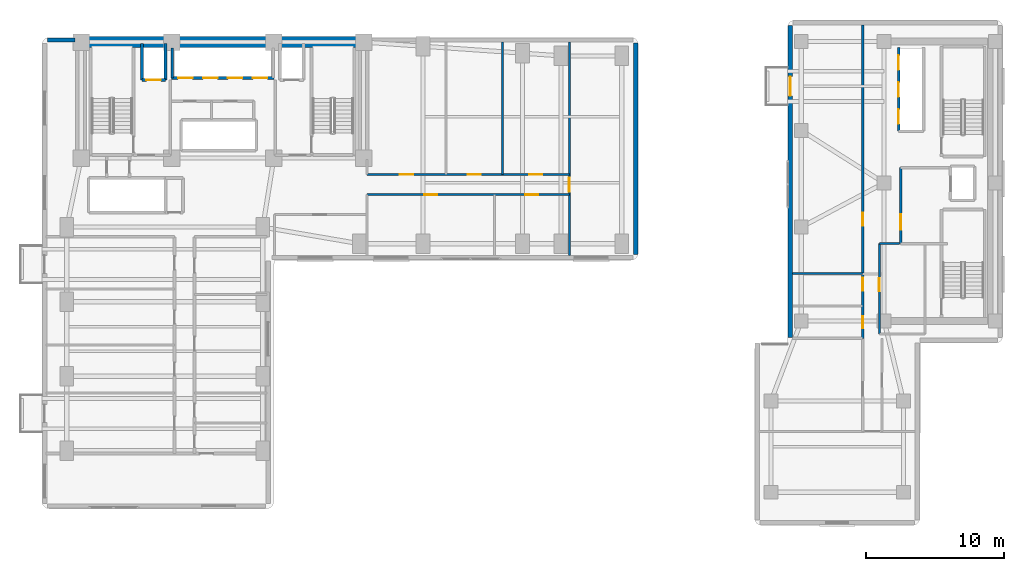
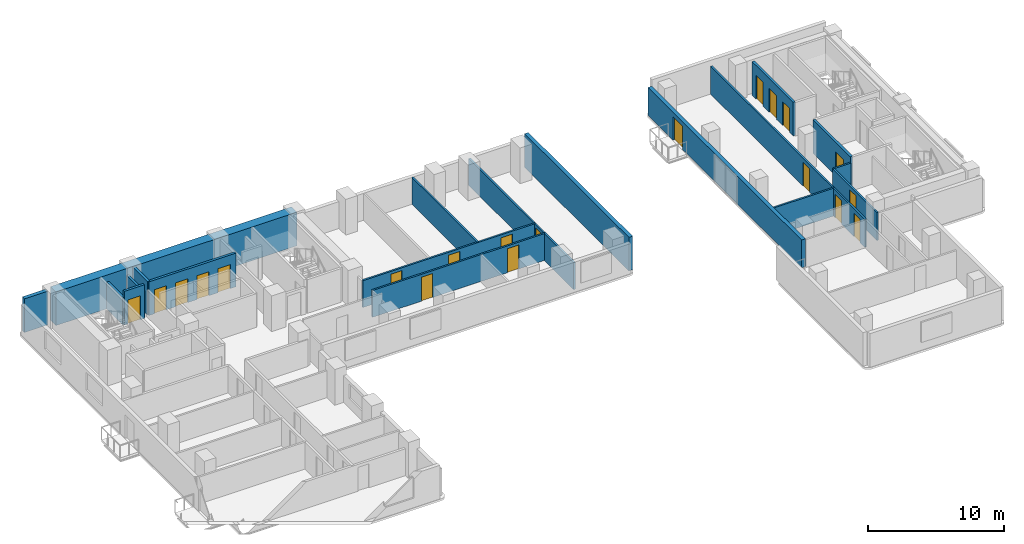
# One storey, part 12 of 17: 20 doors, 19 walls, 20 openings.
"""IFC4 building model written with IfcOpenShell, lengths in metres."""

from ifc_helpers import new_model, si_unit, direction, frame, frame_2d, origin, place, context, subcontext, project, spatial, rectangle, extrude, material, layer, layer_set, type_object, element, fill, save


model = new_model("IFC4")

# Units and contexts
model_context = context("Model", 3, precision=1e-05, world=origin(), true_north=direction((0.0, 1.0)))
body_context = subcontext(model_context, "Body", "Model", "MODEL_VIEW")
ifc_project = project(units=[si_unit("LENGTHUNIT", "METRE"), si_unit("AREAUNIT", "SQUARE_METRE"), si_unit("VOLUMEUNIT", "CUBIC_METRE"), si_unit("PLANEANGLEUNIT", "RADIAN"), si_unit("MASSUNIT", "GRAM", prefix="KILO")], contexts=[model_context])

# Site, building, storey
site_placement = place(None, origin())
site = spatial("IfcSite", under=ifc_project, at=site_placement, CompositionType="ELEMENT")
building_placement = place(site_placement, origin())
building = spatial("IfcBuilding", under=site, at=building_placement, Name="Kuzgunbayir Cultural Tower", CompositionType="ELEMENT")
storey_placement = place(building_placement, frame((0.0, 0.0, 43.60009765625)))
storey = spatial("IfcBuildingStorey", under=building, at=storey_placement, Name="L11", CompositionType="ELEMENT", Elevation=43.60009765625)

# Walls
ifc_material_1 = material(Name="Concrete C60/75", Category="concrete")
ifc_layer_1 = layer(ifc_material_1, 0.800048828125)
ifc_layer_set_1 = layer_set([ifc_layer_1], Name="Concrete C60/75")
wall_type_1 = type_object("IfcWallType", Name="WAL-CORE-800", PredefinedType="SHEAR", material=ifc_layer_set_1)
wall_1_placement = place(storey_placement, frame((6.449951171875, 42.199951171875, 0.0), z_axis=(0.0, 0.0, 1.0), x_axis=(1.0, 0.0, 0.0)))
element("IfcWall", 1, at=wall_1_placement, inside=storey, type_object=wall_type_1, Name="L11 T1 Core North Shear Wall", PredefinedType="SHEAR", context=body_context, shape_type="SweptSolid", body=[
    extrude(rectangle(XDim=20.449951171875, YDim=0.800048828125, at=frame_2d((10.22509765625, 0.0))), origin(), (0.0, 0.0, 1.0), 3.02001953125),
])
ifc_material_2 = material(Name="Travertine Buff Ashlar", Category="masonry")
ifc_layer_2 = layer(ifc_material_2, 0.320068359375)
ifc_layer_set_2 = layer_set([ifc_layer_2], Name="Travertine Buff Ashlar")
wall_type_2 = type_object("IfcWallType", Name="WAL-EXT-STONE-320", PredefinedType="STANDARD", material=ifc_layer_set_2)
wall_2_placement = place(storey_placement, frame((6.0, 42.35009765625, 0.0), z_axis=(0.0, 0.0, 1.0), x_axis=(-1.0, 0.0, 0.0)))
element("IfcWall", 2, at=wall_2_placement, inside=storey, type_object=wall_type_2, Name="L11 Core North-West Spandrel Link", PredefinedType="STANDARD", context=body_context, shape_type="SweptSolid", body=[
    extrude(rectangle(XDim=2.0, YDim=0.320068359375, at=frame_2d((1.0, 0.0))), origin(), (0.0, 0.0, 1.0), 3.02001953125),
])
wall_3_placement = place(storey_placement, frame((46.60009765625, 26.800048828125, 0.0), z_axis=(0.0, 0.0, 1.0), x_axis=(0.0, 1.0, 0.0)))
element("IfcWall", 3, at=wall_3_placement, inside=storey, type_object=wall_type_2, Name="L11 Wing B East Limestone Wall", PredefinedType="STANDARD", context=body_context, shape_type="SweptSolid", body=[
    extrude(rectangle(XDim=15.349853515625, YDim=0.320068359375, at=frame_2d((7.6748046875, 0.0))), origin(), (0.0, 0.0, 1.0), 3.02001953125),
])

# Wall, opening, door
wall_4_placement = place(storey_placement, frame((57.800048828125, 43.39990234375, 0.0), z_axis=(0.0, 0.0, 1.0), x_axis=(0.0, -1.0, 0.0)))
wall_4 = element("IfcWall", 4, at=wall_4_placement, inside=storey, type_object=wall_type_2, Name="L11 Companion West Limestone Wall", PredefinedType="STANDARD", context=body_context, shape_type="SweptSolid", body=[
    extrude(rectangle(XDim=22.599853515625, YDim=0.320068359375, at=frame_2d((11.2998046875, 0.0))), origin(), (0.0, 0.0, 1.0), 2.5),
])
opening_1_placement = place(wall_4_placement, frame((3.699951171875, 0.0, 0.0)))
opening_1 = element("IfcOpeningElement", 5, at=opening_1_placement, cuts=wall_4, Name="Opening BD-15", PredefinedType="OPENING", context=body_context, shape_type="SweptSolid", body=[
    extrude(rectangle(XDim=1.39990234375, YDim=2.10009765625, at=frame_2d((0.699951171875, 1.050048828125))), frame((0.0, 0.169921875, 0.0), z_axis=(0.0, -1.0, 0.0), x_axis=(1.0, 0.0, 0.0)), (0.0, 0.0, 1.0), 0.340087890625),
])
ifc_material_3 = material(Name="Thermally Broken Glazed Aluminium", Category="aluminium")
door_type_1 = type_object("IfcDoorType", Name="DR-BALCONY-150", OperationType="SLIDING_TO_RIGHT", PredefinedType="DOOR", material=ifc_material_3)
door_1_placement = place(opening_1_placement, origin())
door_1 = element("IfcDoor", 6, at=door_1_placement, inside=storey, type_object=door_type_1, Name="L11 Companion Balcony Door BAL-L11-T2W3", OperationType="SLIDING_TO_RIGHT", OverallHeight=2.10009765625, OverallWidth=1.39990234375, PredefinedType="DOOR", context=body_context, shape_type="SweptSolid", body=[
    extrude(rectangle(XDim=1.39990234375, YDim=2.10009765625, at=frame_2d((0.699951171875, 1.050048828125))), frame((0.0, 0.02490234375, 0.0), z_axis=(0.0, -1.0, 0.0), x_axis=(1.0, 0.0, 0.0)), (0.0, 0.0, 1.0), 0.050048828125),
])
fill(opening_1, door_1)

# Wall, openings, doors
ifc_material_4 = material(Name="Acoustic Double-Stud Drywall", Category="gypsum")
ifc_layer_3 = layer(ifc_material_4, 0.14990234375)
ifc_layer_set_3 = layer_set([ifc_layer_3], Name="Acoustic Double-Stud Drywall")
wall_type_3 = type_object("IfcWallType", Name="WAL-PART-ACOUSTIC-150", PredefinedType="PARTITIONING", material=ifc_layer_set_3)
wall_5_placement = place(storey_placement, frame((27.14990234375, 31.14990234375, 0.0), z_axis=(0.0, 0.0, 1.0), x_axis=(1.0, 0.0, 0.0)))
wall_5 = element("IfcWall", 7, at=wall_5_placement, inside=storey, type_object=wall_type_3, Name="L11 Wing B Corridor South Wall", PredefinedType="PARTITIONING", context=body_context, shape_type="SweptSolid", body=[
    extrude(rectangle(XDim=14.650146484375, YDim=0.14990234375, at=frame_2d((7.3251953125, 0.0))), origin(), (0.0, 0.0, 1.0), 2.409912109375),
])
opening_2_placement = place(wall_5_placement, frame((4.139892578125, 0.0, 0.0)))
opening_2 = element("IfcOpeningElement", 8, at=opening_2_placement, cuts=wall_5, Name="Opening DI-90", PredefinedType="OPENING", context=body_context, shape_type="SweptSolid", body=[
    extrude(rectangle(XDim=0.949951171875, YDim=2.14990234375, at=frame_2d((0.47509765625, 1.074951171875))), frame((0.0, 0.0849609375, 0.0), z_axis=(0.0, -1.0, 0.0), x_axis=(1.0, 0.0, 0.0)), (0.0, 0.0, 1.0), 0.169921875),
])
opening_3_placement = place(wall_5_placement, frame((11.4599609375, 0.0, 0.0)))
opening_3 = element("IfcOpeningElement", 9, at=opening_3_placement, cuts=wall_5, Name="Opening DI-90", PredefinedType="OPENING", context=body_context, shape_type="SweptSolid", body=[
    extrude(rectangle(XDim=0.949951171875, YDim=2.14990234375, at=frame_2d((0.47509765625, 1.074951171875))), frame((0.0, 0.0849609375, 0.0), z_axis=(0.0, -1.0, 0.0), x_axis=(1.0, 0.0, 0.0)), (0.0, 0.0, 1.0), 0.169921875),
])
ifc_material_5 = material(Name="Veneered Oak Single Leaf", Category="wood")
door_type_2 = type_object("IfcDoorType", Name="DR-INT-90", OperationType="NOTDEFINED", PredefinedType="DOOR", material=ifc_material_5)
door_2_placement = place(opening_2_placement, origin())
door_2 = element("IfcDoor", 10, at=door_2_placement, inside=storey, type_object=door_type_2, Name="L11 Wing B Fellows Reading Lounge 1 Door", OperationType="SINGLE_SWING_RIGHT", OverallHeight=2.14990234375, OverallWidth=0.949951171875, PredefinedType="DOOR", context=body_context, shape_type="SweptSolid", body=[
    extrude(rectangle(XDim=0.949951171875, YDim=2.14990234375, at=frame_2d((0.47509765625, 1.074951171875))), frame((0.0, 0.02490234375, 0.0), z_axis=(0.0, -1.0, 0.0), x_axis=(1.0, 0.0, 0.0)), (0.0, 0.0, 1.0), 0.050048828125),
])
fill(opening_2, door_2)
door_3_placement = place(opening_3_placement, origin())
door_3 = element("IfcDoor", 11, at=door_3_placement, inside=storey, type_object=door_type_2, Name="L11 Wing B Culinary Tasting Pantry 2 Door", OperationType="SINGLE_SWING_LEFT", OverallHeight=2.14990234375, OverallWidth=0.949951171875, PredefinedType="DOOR", context=body_context, shape_type="SweptSolid", body=[
    extrude(rectangle(XDim=0.949951171875, YDim=2.14990234375, at=frame_2d((0.47509765625, 1.074951171875))), frame((0.0, 0.02490234375, 0.0), z_axis=(0.0, -1.0, 0.0), x_axis=(1.0, 0.0, 0.0)), (0.0, 0.0, 1.0), 0.050048828125),
])
fill(opening_3, door_3)

wall_6_placement = place(storey_placement, frame((27.14990234375, 32.60009765625, 0.0), z_axis=(0.0, 0.0, 1.0), x_axis=(1.0, 0.0, 0.0)))
wall_6 = element("IfcWall", 12, at=wall_6_placement, inside=storey, type_object=wall_type_3, Name="L11 Wing B Corridor North Wall", PredefinedType="PARTITIONING", context=body_context, shape_type="SweptSolid", body=[
    extrude(rectangle(XDim=14.650146484375, YDim=0.14990234375, at=frame_2d((7.3251953125, 0.0))), origin(), (0.0, 0.0, 1.0), 2.409912109375),
])
opening_4_placement = place(wall_6_placement, frame((2.3798828125, 0.0, 0.0)))
opening_4 = element("IfcOpeningElement", 13, at=opening_4_placement, cuts=wall_6, Name="Opening DI-90", PredefinedType="OPENING", context=body_context, shape_type="SweptSolid", body=[
    extrude(rectangle(XDim=0.949951171875, YDim=2.14990234375, at=frame_2d((0.47509765625, 1.074951171875))), frame((0.0, 0.0849609375, 0.0), z_axis=(0.0, -1.0, 0.0), x_axis=(1.0, 0.0, 0.0)), (0.0, 0.0, 1.0), 0.169921875),
])
opening_5_placement = place(wall_6_placement, frame((7.2900390625, 0.0, 0.0)))
opening_5 = element("IfcOpeningElement", 14, at=opening_5_placement, cuts=wall_6, Name="Opening DI-90", PredefinedType="OPENING", context=body_context, shape_type="SweptSolid", body=[
    extrude(rectangle(XDim=0.949951171875, YDim=2.14990234375, at=frame_2d((0.47509765625, 1.074951171875))), frame((0.0, 0.0849609375, 0.0), z_axis=(0.0, -1.0, 0.0), x_axis=(1.0, 0.0, 0.0)), (0.0, 0.0, 1.0), 0.169921875),
])
opening_6_placement = place(wall_6_placement, frame((11.75, 0.0, 0.0)))
opening_6 = element("IfcOpeningElement", 15, at=opening_6_placement, cuts=wall_6, Name="Opening DI-90", PredefinedType="OPENING", context=body_context, shape_type="SweptSolid", body=[
    extrude(rectangle(XDim=0.949951171875, YDim=2.14990234375, at=frame_2d((0.47509765625, 1.074951171875))), frame((0.0, 0.0849609375, 0.0), z_axis=(0.0, -1.0, 0.0), x_axis=(1.0, 0.0, 0.0)), (0.0, 0.0, 1.0), 0.169921875),
])
door_4_placement = place(opening_4_placement, origin())
door_4 = element("IfcDoor", 16, at=door_4_placement, inside=storey, type_object=door_type_2, Name="L11 Wing B North Fellows Reading Lounge 1 Door", OperationType="SINGLE_SWING_RIGHT", OverallHeight=2.14990234375, OverallWidth=0.949951171875, PredefinedType="DOOR", context=body_context, shape_type="SweptSolid", body=[
    extrude(rectangle(XDim=0.949951171875, YDim=2.14990234375, at=frame_2d((0.47509765625, 1.074951171875))), frame((0.0, 0.02490234375, 0.0), z_axis=(0.0, -1.0, 0.0), x_axis=(1.0, 0.0, 0.0)), (0.0, 0.0, 1.0), 0.050048828125),
])
fill(opening_4, door_4)
door_5_placement = place(opening_5_placement, origin())
door_5 = element("IfcDoor", 17, at=door_5_placement, inside=storey, type_object=door_type_2, Name="L11 Wing B North Curatorial Office 2 Door", OperationType="SINGLE_SWING_LEFT", OverallHeight=2.14990234375, OverallWidth=0.949951171875, PredefinedType="DOOR", context=body_context, shape_type="SweptSolid", body=[
    extrude(rectangle(XDim=0.949951171875, YDim=2.14990234375, at=frame_2d((0.47509765625, 1.074951171875))), frame((0.0, 0.02490234375, 0.0), z_axis=(0.0, -1.0, 0.0), x_axis=(1.0, 0.0, 0.0)), (0.0, 0.0, 1.0), 0.050048828125),
])
fill(opening_5, door_5)
door_6_placement = place(opening_6_placement, origin())
door_6 = element("IfcDoor", 18, at=door_6_placement, inside=storey, type_object=door_type_2, Name="L11 Wing B North Seminar Boardroom 3 Door", OperationType="SINGLE_SWING_RIGHT", OverallHeight=2.14990234375, OverallWidth=0.949951171875, PredefinedType="DOOR", context=body_context, shape_type="SweptSolid", body=[
    extrude(rectangle(XDim=0.949951171875, YDim=2.14990234375, at=frame_2d((0.47509765625, 1.074951171875))), frame((0.0, 0.02490234375, 0.0), z_axis=(0.0, -1.0, 0.0), x_axis=(1.0, 0.0, 0.0)), (0.0, 0.0, 1.0), 0.050048828125),
])
fill(opening_6, door_6)

# Wall, opening, door
wall_7_placement = place(storey_placement, frame((41.800048828125, 26.75, 0.0), z_axis=(0.0, 0.0, 1.0), x_axis=(0.0, 1.0, 0.0)))
wall_7 = element("IfcWall", 19, at=wall_7_placement, inside=storey, type_object=wall_type_3, Name="L11 Wing B East Suite Wall", PredefinedType="PARTITIONING", context=body_context, shape_type="SweptSolid", body=[
    extrude(rectangle(XDim=15.449951171875, YDim=0.14990234375, at=frame_2d((7.72509765625, 0.0))), origin(), (0.0, 0.0, 1.0), 2.409912109375),
])
opening_7_placement = place(wall_7_placement, frame((4.6201171875, 0.0, 0.0)))
opening_7 = element("IfcOpeningElement", 20, at=opening_7_placement, cuts=wall_7, Name="Opening DI-100", PredefinedType="OPENING", context=body_context, shape_type="SweptSolid", body=[
    extrude(rectangle(XDim=1.0, YDim=2.14990234375, at=frame_2d((0.5, 1.074951171875))), frame((0.0, 0.0849609375, 0.0), z_axis=(0.0, -1.0, 0.0), x_axis=(1.0, 0.0, 0.0)), (0.0, 0.0, 1.0), 0.169921875),
])
door_type_3 = type_object("IfcDoorType", Name="DR-INT-100", OperationType="NOTDEFINED", PredefinedType="DOOR", material=ifc_material_5)
door_7_placement = place(opening_7_placement, origin())
door_7 = element("IfcDoor", 21, at=door_7_placement, inside=storey, type_object=door_type_3, Name="L11 East Conference Hall Door", OperationType="SINGLE_SWING_LEFT", OverallHeight=2.14990234375, OverallWidth=1.0, PredefinedType="DOOR", context=body_context, shape_type="SweptSolid", body=[
    extrude(rectangle(XDim=1.0, YDim=2.14990234375, at=frame_2d((0.5, 1.074951171875))), frame((0.0, 0.02490234375, 0.0), z_axis=(0.0, -1.0, 0.0), x_axis=(1.0, 0.0, 0.0)), (0.0, 0.0, 1.0), 0.050048828125),
])
fill(opening_7, door_7)

# Wall
wall_8_placement = place(storey_placement, frame((36.969970703125, 32.60009765625, 0.0), z_axis=(0.0, 0.0, 1.0), x_axis=(0.0, 1.0, 0.0)))
element("IfcWall", 22, at=wall_8_placement, inside=storey, type_object=wall_type_3, Name="L11 Wing B North Partition 2", PredefinedType="PARTITIONING", context=body_context, shape_type="SweptSolid", body=[
    extrude(rectangle(XDim=9.599853515625, YDim=0.14990234375, at=frame_2d((4.7998046875, 0.0))), origin(), (0.0, 0.0, 1.0), 2.409912109375),
])

# Wall, opening, door
wall_9_placement = place(storey_placement, frame((64.25, 21.050048828125, 0.0), z_axis=(0.0, 0.0, 1.0), x_axis=(0.0, 1.0, 0.0)))
wall_9 = element("IfcWall", 23, at=wall_9_placement, inside=storey, type_object=wall_type_3, Name="L11 Companion Archive West Wall", PredefinedType="PARTITIONING", context=body_context, shape_type="SweptSolid", body=[
    extrude(rectangle(XDim=6.550048828125, YDim=0.14990234375, at=frame_2d((3.27490234375, 0.0))), origin(), (0.0, 0.0, 1.0), 2.5),
])
opening_8_placement = place(wall_9_placement, frame((3.10009765625, 0.0, 0.0)))
opening_8 = element("IfcOpeningElement", 24, at=opening_8_placement, cuts=wall_9, Name="Opening DI-90", PredefinedType="OPENING", context=body_context, shape_type="SweptSolid", body=[
    extrude(rectangle(XDim=0.949951171875, YDim=2.14990234375, at=frame_2d((0.47509765625, 1.074951171875))), frame((0.0, 0.0849609375, 0.0), z_axis=(0.0, -1.0, 0.0), x_axis=(1.0, 0.0, 0.0)), (0.0, 0.0, 1.0), 0.169921875),
])
door_8_placement = place(opening_8_placement, origin())
door_8 = element("IfcDoor", 25, at=door_8_placement, inside=storey, type_object=door_type_2, Name="L11 Companion Archive Door", OperationType="SINGLE_SWING_LEFT", OverallHeight=2.14990234375, OverallWidth=0.949951171875, PredefinedType="DOOR", context=body_context, shape_type="SweptSolid", body=[
    extrude(rectangle(XDim=0.949951171875, YDim=2.14990234375, at=frame_2d((0.47509765625, 1.074951171875))), frame((0.0, 0.02490234375, 0.0), z_axis=(0.0, -1.0, 0.0), x_axis=(1.0, 0.0, 0.0)), (0.0, 0.0, 1.0), 0.050048828125),
])
fill(opening_8, door_8)

# Wall
wall_10_placement = place(storey_placement, frame((64.25, 27.60009765625, 0.0), z_axis=(0.0, 0.0, 1.0), x_axis=(1.0, 0.0, 0.0)))
element("IfcWall", 26, at=wall_10_placement, inside=storey, type_object=wall_type_3, Name="L11 Companion Archive North Wall", PredefinedType="PARTITIONING", context=body_context, shape_type="SweptSolid", body=[
    extrude(rectangle(XDim=1.469970703125, YDim=0.14990234375, at=frame_2d((0.73486328125, 0.0))), origin(), (0.0, 0.0, 1.0), 2.5),
])

# Wall, openings, doors
wall_11_placement = place(storey_placement, frame((63.050048828125, 20.75, 0.0), z_axis=(0.0, 0.0, 1.0), x_axis=(0.0, 1.0, 0.0)))
wall_11 = element("IfcWall", 27, at=wall_11_placement, inside=storey, type_object=wall_type_3, Name="L11 Companion Corridor West Wall", PredefinedType="PARTITIONING", context=body_context, shape_type="SweptSolid", body=[
    extrude(rectangle(XDim=22.699951171875, YDim=0.14990234375, at=frame_2d((11.35009765625, 0.0))), origin(), (0.0, 0.0, 1.0), 2.5),
])
opening_9_placement = place(wall_11_placement, frame((0.72998046875, 0.0, 0.0)))
opening_9 = element("IfcOpeningElement", 28, at=opening_9_placement, cuts=wall_11, Name="Opening DW-85", PredefinedType="OPENING", context=body_context, shape_type="SweptSolid", body=[
    extrude(rectangle(XDim=0.85009765625, YDim=2.10009765625, at=frame_2d((0.425048828125, 1.050048828125))), frame((0.0, 0.0849609375, 0.0), z_axis=(0.0, -1.0, 0.0), x_axis=(1.0, 0.0, 0.0)), (0.0, 0.0, 1.0), 0.169921875),
])
opening_10_placement = place(wall_11_placement, frame((3.429931640625, 0.0, 0.0)))
opening_10 = element("IfcOpeningElement", 29, at=opening_10_placement, cuts=wall_11, Name="Opening DW-95", PredefinedType="OPENING", context=body_context, shape_type="SweptSolid", body=[
    extrude(rectangle(XDim=0.949951171875, YDim=2.10009765625, at=frame_2d((0.47509765625, 1.050048828125))), frame((0.0, 0.0849609375, 0.0), z_axis=(0.0, -1.0, 0.0), x_axis=(1.0, 0.0, 0.0)), (0.0, 0.0, 1.0), 0.169921875),
])
opening_11_placement = place(wall_11_placement, frame((8.14990234375, 0.0, 0.0)))
opening_11 = element("IfcOpeningElement", 30, at=opening_11_placement, cuts=wall_11, Name="Opening DI-90", PredefinedType="OPENING", context=body_context, shape_type="SweptSolid", body=[
    extrude(rectangle(XDim=0.949951171875, YDim=2.14990234375, at=frame_2d((0.47509765625, 1.074951171875))), frame((0.0, 0.0849609375, 0.0), z_axis=(0.0, -1.0, 0.0), x_axis=(1.0, 0.0, 0.0)), (0.0, 0.0, 1.0), 0.169921875),
])
door_9_placement = place(opening_11_placement, origin())
door_9 = element("IfcDoor", 31, at=door_9_placement, inside=storey, type_object=door_type_2, Name="L11 Companion Fellows Reading Lounge 1 Door", OperationType="SINGLE_SWING_RIGHT", OverallHeight=2.14990234375, OverallWidth=0.949951171875, PredefinedType="DOOR", context=body_context, shape_type="SweptSolid", body=[
    extrude(rectangle(XDim=0.949951171875, YDim=2.14990234375, at=frame_2d((0.47509765625, 1.074951171875))), frame((0.0, 0.02490234375, 0.0), z_axis=(0.0, -1.0, 0.0), x_axis=(1.0, 0.0, 0.0)), (0.0, 0.0, 1.0), 0.050048828125),
])
fill(opening_11, door_9)
ifc_material_6 = material(Name="Laminate Moisture-Resistant Leaf", Category="wood")
door_type_4 = type_object("IfcDoorType", Name="DR-WET-85", OperationType="NOTDEFINED", PredefinedType="DOOR", material=ifc_material_6)
door_10_placement = place(opening_9_placement, origin())
door_10 = element("IfcDoor", 32, at=door_10_placement, inside=storey, type_object=door_type_4, Name="L11 Companion WC Door", OperationType="SINGLE_SWING_RIGHT", OverallHeight=2.10009765625, OverallWidth=0.85009765625, PredefinedType="DOOR", context=body_context, shape_type="SweptSolid", body=[
    extrude(rectangle(XDim=0.85009765625, YDim=2.10009765625, at=frame_2d((0.425048828125, 1.050048828125))), frame((0.0, 0.02490234375, 0.0), z_axis=(0.0, -1.0, 0.0), x_axis=(1.0, 0.0, 0.0)), (0.0, 0.0, 1.0), 0.050048828125),
])
fill(opening_9, door_10)
door_type_5 = type_object("IfcDoorType", Name="DR-WET-95", OperationType="NOTDEFINED", PredefinedType="DOOR", material=ifc_material_6)
door_11_placement = place(opening_10_placement, origin())
door_11 = element("IfcDoor", 33, at=door_11_placement, inside=storey, type_object=door_type_5, Name="L11 Companion Accessible WC Door", OperationType="SINGLE_SWING_LEFT", OverallHeight=2.10009765625, OverallWidth=0.949951171875, PredefinedType="DOOR", context=body_context, shape_type="SweptSolid", body=[
    extrude(rectangle(XDim=0.949951171875, YDim=2.10009765625, at=frame_2d((0.47509765625, 1.050048828125))), frame((0.0, 0.02490234375, 0.0), z_axis=(0.0, -1.0, 0.0), x_axis=(1.0, 0.0, 0.0)), (0.0, 0.0, 1.0), 0.050048828125),
])
fill(opening_10, door_11)

# Wall, opening, door
ifc_material_7 = material(Name="Aerated Concrete Blockwork", Category="masonry")
ifc_layer_4 = layer(ifc_material_7, 0.199951171875)
ifc_layer_set_4 = layer_set([ifc_layer_4], Name="Aerated Concrete Blockwork")
wall_type_4 = type_object("IfcWallType", Name="WAL-PART-FIRE-200", PredefinedType="PARTITIONING", material=ifc_layer_set_4)
wall_12_placement = place(storey_placement, frame((65.800048828125, 27.60009765625, 0.0), z_axis=(0.0, 0.0, 1.0), x_axis=(0.0, 1.0, 0.0)))
wall_12 = element("IfcWall", 34, at=wall_12_placement, inside=storey, type_object=wall_type_4, Name="L11 FFL-3 Lobby West Fire Wall", PredefinedType="PARTITIONING", context=body_context, shape_type="SweptSolid", body=[
    extrude(rectangle(XDim=5.5, YDim=0.199951171875, at=frame_2d((2.75, 0.0))), origin(), (0.0, 0.0, 1.0), 3.02001953125),
])
opening_12_placement = place(wall_12_placement, frame((1.0, 0.0, 0.0)))
opening_12 = element("IfcOpeningElement", 35, at=opening_12_placement, cuts=wall_12, Name="Opening DR-FFL-90", PredefinedType="OPENING", context=body_context, shape_type="SweptSolid", body=[
    extrude(rectangle(XDim=1.14990234375, YDim=2.14990234375, at=frame_2d((0.574951171875, 1.074951171875))), frame((0.0, 0.10986328125, 0.0), z_axis=(0.0, -1.0, 0.0), x_axis=(1.0, 0.0, 0.0)), (0.0, 0.0, 1.0), 0.219970703125),
])
ifc_material_8 = material(Name="Steel S355J2", Category="steel")
door_type_6 = type_object("IfcDoorType", Name="DR-FFL-90", OperationType="NOTDEFINED", PredefinedType="DOOR", material=ifc_material_8)
door_12_placement = place(opening_12_placement, origin())
door_12 = element("IfcDoor", 36, at=door_12_placement, inside=storey, type_object=door_type_6, Name="L11 Firefighting Lobby 3 Door", OperationType="SINGLE_SWING_RIGHT", OverallHeight=2.14990234375, OverallWidth=1.14990234375, PredefinedType="DOOR", context=body_context, shape_type="SweptSolid", body=[
    extrude(rectangle(XDim=1.14990234375, YDim=2.14990234375, at=frame_2d((0.574951171875, 1.074951171875))), frame((0.0, 0.02490234375, 0.0), z_axis=(0.0, -1.0, 0.0), x_axis=(1.0, 0.0, 0.0)), (0.0, 0.0, 1.0), 0.050048828125),
])
fill(opening_12, door_12)

# Wall
ifc_material_9 = material(Name="Moisture-Resistant Tile Partition", Category="gypsum")
ifc_layer_5 = layer(ifc_material_9, 0.14990234375)
ifc_layer_set_5 = layer_set([ifc_layer_5], Name="Moisture-Resistant Tile Partition")
wall_type_5 = type_object("IfcWallType", Name="WAL-PART-WET-150", PredefinedType="PARTITIONING", material=ifc_layer_set_5)
wall_13_placement = place(storey_placement, frame((57.949951171875, 25.449951171875, 0.0), z_axis=(0.0, 0.0, 1.0), x_axis=(1.0, 0.0, 0.0)))
element("IfcWall", 37, at=wall_13_placement, inside=storey, type_object=wall_type_5, Name="L11 Companion Accessible WC Wall", PredefinedType="PARTITIONING", context=body_context, shape_type="SweptSolid", body=[
    extrude(rectangle(XDim=5.10009765625, YDim=0.14990234375, at=frame_2d((2.550048828125, 0.0))), origin(), (0.0, 0.0, 1.0), 2.5),
])

# Wall, opening, door
ifc_material_10 = material(Name="Concrete C40/50", Category="concrete")
ifc_layer_6 = layer(ifc_material_10, 0.199951171875)
ifc_layer_set_6 = layer_set([ifc_layer_6], Name="Concrete C40/50")
wall_type_6 = type_object("IfcWallType", Name="WAL-SHAFT-200", PredefinedType="MOVABLE", material=ifc_layer_set_6)
wall_14_placement = place(storey_placement, frame((10.85009765625, 39.449951171875, 0.0), z_axis=(0.0, 0.0, 1.0), x_axis=(1.0, 0.0, 0.0)))
wall_14 = element("IfcWall", 38, at=wall_14_placement, inside=storey, type_object=wall_type_6, Name="L11 FFL-1 Lift Front Wall", PredefinedType="MOVABLE", context=body_context, shape_type="SweptSolid", body=[
    extrude(rectangle(XDim=1.699951171875, YDim=0.199951171875, at=frame_2d((0.85009765625, 0.0))), origin(), (0.0, 0.0, 1.0), 3.02001953125),
])
opening_13_placement = place(wall_14_placement, frame((0.320068359375, 0.0, 0.0)))
opening_13 = element("IfcOpeningElement", 39, at=opening_13_placement, cuts=wall_14, Name="Opening LD", PredefinedType="OPENING", context=body_context, shape_type="SweptSolid", body=[
    extrude(rectangle(XDim=1.050048828125, YDim=2.14990234375, at=frame_2d((0.52490234375, 1.074951171875))), frame((0.0, 0.10986328125, 0.0), z_axis=(0.0, -1.0, 0.0), x_axis=(1.0, 0.0, 0.0)), (0.0, 0.0, 1.0), 0.219970703125),
])
ifc_material_11 = material(Name="Brushed Stainless Steel", Category="steel")
door_type_7 = type_object("IfcDoorType", Name="DR-LIFT-LANDING", OperationType="SLIDING_TO_LEFT", PredefinedType="DOOR", material=ifc_material_11)
door_13_placement = place(opening_13_placement, origin())
door_13 = element("IfcDoor", 40, at=door_13_placement, inside=storey, type_object=door_type_7, Name="L11 Lift FFL-1 Landing Door", OperationType="SLIDING_TO_LEFT", OverallHeight=2.14990234375, OverallWidth=1.050048828125, PredefinedType="DOOR", context=body_context, shape_type="SweptSolid", body=[
    extrude(rectangle(XDim=1.050048828125, YDim=2.14990234375, at=frame_2d((0.52490234375, 1.074951171875))), frame((0.0, 0.02490234375, 0.0), z_axis=(0.0, -1.0, 0.0), x_axis=(1.0, 0.0, 0.0)), (0.0, 0.0, 1.0), 0.050048828125),
])
fill(opening_13, door_13)

# Walls
for number, where, z_axis, x_axis, name in (
    (41, (10.85009765625, 39.449951171875, 0.0), (0.0, 0.0, 1.0), (0.0, 1.0, 0.0), "L11 FFL-1 Shaft West Wall"),
    (42, (12.550048828125, 39.449951171875, 0.0), (0.0, 0.0, 1.0), (0.0, 1.0, 0.0), "L11 FFL-1 Shaft East Wall"),
):
    element("IfcWall", number, at=place(storey_placement, frame(where, z_axis=z_axis, x_axis=x_axis)), inside=storey, type_object=wall_type_6, Name=name, PredefinedType="MOVABLE", context=body_context, shape_type="SweptSolid", body=[
        extrude(rectangle(XDim=2.650146484375, YDim=0.199951171875, at=frame_2d((1.3251953125, 0.0))), origin(), (0.0, 0.0, 1.0), 2.409912109375),
    ])

# Wall, openings, doors
wall_15_placement = place(storey_placement, frame((13.0, 39.60009765625, 0.0), z_axis=(0.0, 0.0, 1.0), x_axis=(1.0, 0.0, 0.0)))
wall_15 = element("IfcWall", 43, at=wall_15_placement, inside=storey, type_object=wall_type_6, Name="L11 Low-Rise Lift Front Wall", PredefinedType="MOVABLE", context=body_context, shape_type="SweptSolid", body=[
    extrude(rectangle(XDim=7.39990234375, YDim=0.199951171875, at=frame_2d((3.699951171875, 0.0))), origin(), (0.0, 0.0, 1.0), 3.02001953125),
])
opening_14_placement = place(wall_15_placement, frame((0.469970703125, 0.0, 0.0)))
opening_14 = element("IfcOpeningElement", 44, at=opening_14_placement, cuts=wall_15, Name="Opening LD", PredefinedType="OPENING", context=body_context, shape_type="SweptSolid", body=[
    extrude(rectangle(XDim=1.050048828125, YDim=2.14990234375, at=frame_2d((0.52490234375, 1.074951171875))), frame((0.0, 0.10986328125, 0.0), z_axis=(0.0, -1.0, 0.0), x_axis=(1.0, 0.0, 0.0)), (0.0, 0.0, 1.0), 0.219970703125),
])
opening_15_placement = place(wall_15_placement, frame((2.280029296875, 0.0, 0.0)))
opening_15 = element("IfcOpeningElement", 45, at=opening_15_placement, cuts=wall_15, Name="Opening LD", PredefinedType="OPENING", context=body_context, shape_type="SweptSolid", body=[
    extrude(rectangle(XDim=1.050048828125, YDim=2.14990234375, at=frame_2d((0.52490234375, 1.074951171875))), frame((0.0, 0.10986328125, 0.0), z_axis=(0.0, -1.0, 0.0), x_axis=(1.0, 0.0, 0.0)), (0.0, 0.0, 1.0), 0.219970703125),
])
opening_16_placement = place(wall_15_placement, frame((4.080078125, 0.0, 0.0)))
opening_16 = element("IfcOpeningElement", 46, at=opening_16_placement, cuts=wall_15, Name="Opening LD", PredefinedType="OPENING", context=body_context, shape_type="SweptSolid", body=[
    extrude(rectangle(XDim=1.050048828125, YDim=2.14990234375, at=frame_2d((0.52490234375, 1.074951171875))), frame((0.0, 0.10986328125, 0.0), z_axis=(0.0, -1.0, 0.0), x_axis=(1.0, 0.0, 0.0)), (0.0, 0.0, 1.0), 0.219970703125),
])
opening_17_placement = place(wall_15_placement, frame((5.8798828125, 0.0, 0.0)))
opening_17 = element("IfcOpeningElement", 47, at=opening_17_placement, cuts=wall_15, Name="Opening LD", PredefinedType="OPENING", context=body_context, shape_type="SweptSolid", body=[
    extrude(rectangle(XDim=1.050048828125, YDim=2.14990234375, at=frame_2d((0.52490234375, 1.074951171875))), frame((0.0, 0.10986328125, 0.0), z_axis=(0.0, -1.0, 0.0), x_axis=(1.0, 0.0, 0.0)), (0.0, 0.0, 1.0), 0.219970703125),
])
door_14_placement = place(opening_14_placement, origin())
door_14 = element("IfcDoor", 48, at=door_14_placement, inside=storey, type_object=door_type_7, Name="L11 Lift PL-1 Landing Door", OperationType="SLIDING_TO_LEFT", OverallHeight=2.14990234375, OverallWidth=1.050048828125, PredefinedType="DOOR", context=body_context, shape_type="SweptSolid", body=[
    extrude(rectangle(XDim=1.050048828125, YDim=2.14990234375, at=frame_2d((0.52490234375, 1.074951171875))), frame((0.0, 0.02490234375, 0.0), z_axis=(0.0, -1.0, 0.0), x_axis=(1.0, 0.0, 0.0)), (0.0, 0.0, 1.0), 0.050048828125),
])
fill(opening_14, door_14)
door_15_placement = place(opening_15_placement, origin())
door_15 = element("IfcDoor", 49, at=door_15_placement, inside=storey, type_object=door_type_7, Name="L11 Lift PL-2 Landing Door", OperationType="SLIDING_TO_LEFT", OverallHeight=2.14990234375, OverallWidth=1.050048828125, PredefinedType="DOOR", context=body_context, shape_type="SweptSolid", body=[
    extrude(rectangle(XDim=1.050048828125, YDim=2.14990234375, at=frame_2d((0.52490234375, 1.074951171875))), frame((0.0, 0.02490234375, 0.0), z_axis=(0.0, -1.0, 0.0), x_axis=(1.0, 0.0, 0.0)), (0.0, 0.0, 1.0), 0.050048828125),
])
fill(opening_15, door_15)
door_16_placement = place(opening_16_placement, origin())
door_16 = element("IfcDoor", 50, at=door_16_placement, inside=storey, type_object=door_type_7, Name="L11 Lift PL-3 Landing Door", OperationType="SLIDING_TO_LEFT", OverallHeight=2.14990234375, OverallWidth=1.050048828125, PredefinedType="DOOR", context=body_context, shape_type="SweptSolid", body=[
    extrude(rectangle(XDim=1.050048828125, YDim=2.14990234375, at=frame_2d((0.52490234375, 1.074951171875))), frame((0.0, 0.02490234375, 0.0), z_axis=(0.0, -1.0, 0.0), x_axis=(1.0, 0.0, 0.0)), (0.0, 0.0, 1.0), 0.050048828125),
])
fill(opening_16, door_16)
door_17_placement = place(opening_17_placement, origin())
door_17 = element("IfcDoor", 51, at=door_17_placement, inside=storey, type_object=door_type_7, Name="L11 Lift PL-4 Landing Door", OperationType="SLIDING_TO_LEFT", OverallHeight=2.14990234375, OverallWidth=1.050048828125, PredefinedType="DOOR", context=body_context, shape_type="SweptSolid", body=[
    extrude(rectangle(XDim=1.050048828125, YDim=2.14990234375, at=frame_2d((0.52490234375, 1.074951171875))), frame((0.0, 0.02490234375, 0.0), z_axis=(0.0, -1.0, 0.0), x_axis=(1.0, 0.0, 0.0)), (0.0, 0.0, 1.0), 0.050048828125),
])
fill(opening_17, door_17)

# Wall
wall_16_placement = place(storey_placement, frame((13.050048828125, 39.60009765625, 0.0), z_axis=(0.0, 0.0, 1.0), x_axis=(0.0, 1.0, 0.0)))
element("IfcWall", 52, at=wall_16_placement, inside=storey, type_object=wall_type_6, Name="L11 Low-Rise Lift Shaft West Wall", PredefinedType="MOVABLE", context=body_context, shape_type="SweptSolid", body=[
    extrude(rectangle(XDim=2.179931640625, YDim=0.199951171875, at=frame_2d((1.08984375, 0.0))), origin(), (0.0, 0.0, 1.0), 3.02001953125),
])

# Wall, openings, doors
wall_17_placement = place(storey_placement, frame((65.64990234375, 35.75, 0.0), z_axis=(0.0, 0.0, 1.0), x_axis=(0.0, 1.0, 0.0)))
wall_17 = element("IfcWall", 53, at=wall_17_placement, inside=storey, type_object=wall_type_6, Name="L11 Companion Lift Front Wall", PredefinedType="MOVABLE", context=body_context, shape_type="SweptSolid", body=[
    extrude(rectangle(XDim=6.050048828125, YDim=0.199951171875, at=frame_2d((3.02490234375, 0.0))), origin(), (0.0, 0.0, 1.0), 3.02001953125),
])
opening_18_placement = place(wall_17_placement, frame((0.52001953125, 0.0, 0.0)))
opening_18 = element("IfcOpeningElement", 54, at=opening_18_placement, cuts=wall_17, Name="Opening LD", PredefinedType="OPENING", context=body_context, shape_type="SweptSolid", body=[
    extrude(rectangle(XDim=1.050048828125, YDim=2.14990234375, at=frame_2d((0.52490234375, 1.074951171875))), frame((0.0, 0.10986328125, 0.0), z_axis=(0.0, -1.0, 0.0), x_axis=(1.0, 0.0, 0.0)), (0.0, 0.0, 1.0), 0.219970703125),
])
opening_19_placement = place(wall_17_placement, frame((2.47998046875, 0.0, 0.0)))
opening_19 = element("IfcOpeningElement", 55, at=opening_19_placement, cuts=wall_17, Name="Opening LD", PredefinedType="OPENING", context=body_context, shape_type="SweptSolid", body=[
    extrude(rectangle(XDim=1.050048828125, YDim=2.14990234375, at=frame_2d((0.52490234375, 1.074951171875))), frame((0.0, 0.10986328125, 0.0), z_axis=(0.0, -1.0, 0.0), x_axis=(1.0, 0.0, 0.0)), (0.0, 0.0, 1.0), 0.219970703125),
])
opening_20_placement = place(wall_17_placement, frame((4.429931640625, 0.0, 0.0)))
opening_20 = element("IfcOpeningElement", 56, at=opening_20_placement, cuts=wall_17, Name="Opening LD", PredefinedType="OPENING", context=body_context, shape_type="SweptSolid", body=[
    extrude(rectangle(XDim=1.050048828125, YDim=2.14990234375, at=frame_2d((0.52490234375, 1.074951171875))), frame((0.0, 0.10986328125, 0.0), z_axis=(0.0, -1.0, 0.0), x_axis=(1.0, 0.0, 0.0)), (0.0, 0.0, 1.0), 0.219970703125),
])
door_18_placement = place(opening_18_placement, origin())
door_18 = element("IfcDoor", 57, at=door_18_placement, inside=storey, type_object=door_type_7, Name="L11 Lift PC-1 Landing Door", OperationType="SLIDING_TO_LEFT", OverallHeight=2.14990234375, OverallWidth=1.050048828125, PredefinedType="DOOR", context=body_context, shape_type="SweptSolid", body=[
    extrude(rectangle(XDim=1.050048828125, YDim=2.14990234375, at=frame_2d((0.52490234375, 1.074951171875))), frame((0.0, 0.02490234375, 0.0), z_axis=(0.0, -1.0, 0.0), x_axis=(1.0, 0.0, 0.0)), (0.0, 0.0, 1.0), 0.050048828125),
])
fill(opening_18, door_18)
door_19_placement = place(opening_19_placement, origin())
door_19 = element("IfcDoor", 58, at=door_19_placement, inside=storey, type_object=door_type_7, Name="L11 Lift PC-2 Landing Door", OperationType="SLIDING_TO_LEFT", OverallHeight=2.14990234375, OverallWidth=1.050048828125, PredefinedType="DOOR", context=body_context, shape_type="SweptSolid", body=[
    extrude(rectangle(XDim=1.050048828125, YDim=2.14990234375, at=frame_2d((0.52490234375, 1.074951171875))), frame((0.0, 0.02490234375, 0.0), z_axis=(0.0, -1.0, 0.0), x_axis=(1.0, 0.0, 0.0)), (0.0, 0.0, 1.0), 0.050048828125),
])
fill(opening_19, door_19)
door_20_placement = place(opening_20_placement, origin())
door_20 = element("IfcDoor", 59, at=door_20_placement, inside=storey, type_object=door_type_7, Name="L11 Lift PC-3 Landing Door", OperationType="SLIDING_TO_LEFT", OverallHeight=2.14990234375, OverallWidth=1.050048828125, PredefinedType="DOOR", context=body_context, shape_type="SweptSolid", body=[
    extrude(rectangle(XDim=1.050048828125, YDim=2.14990234375, at=frame_2d((0.52490234375, 1.074951171875))), frame((0.0, 0.02490234375, 0.0), z_axis=(0.0, -1.0, 0.0), x_axis=(1.0, 0.0, 0.0)), (0.0, 0.0, 1.0), 0.050048828125),
])
fill(opening_20, door_20)

save(model, "model.ifc")
